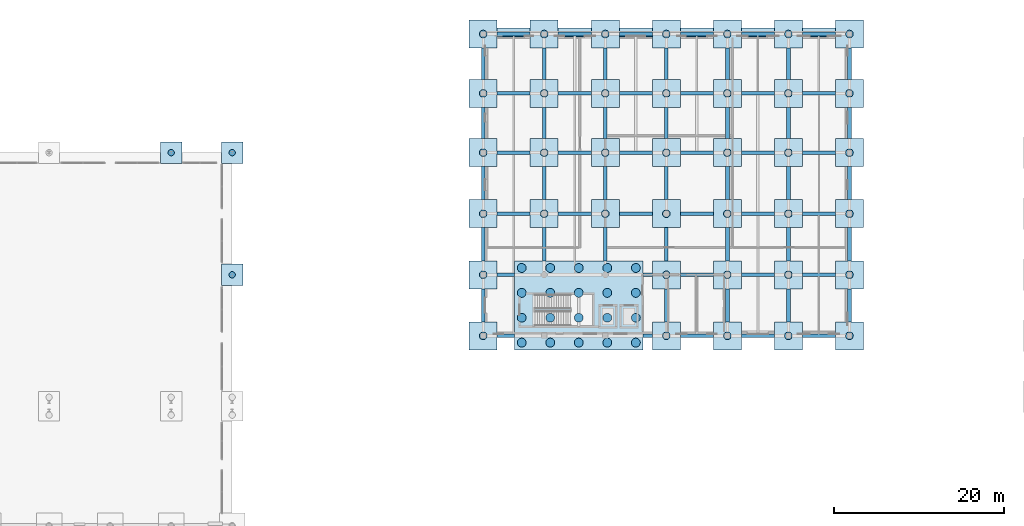
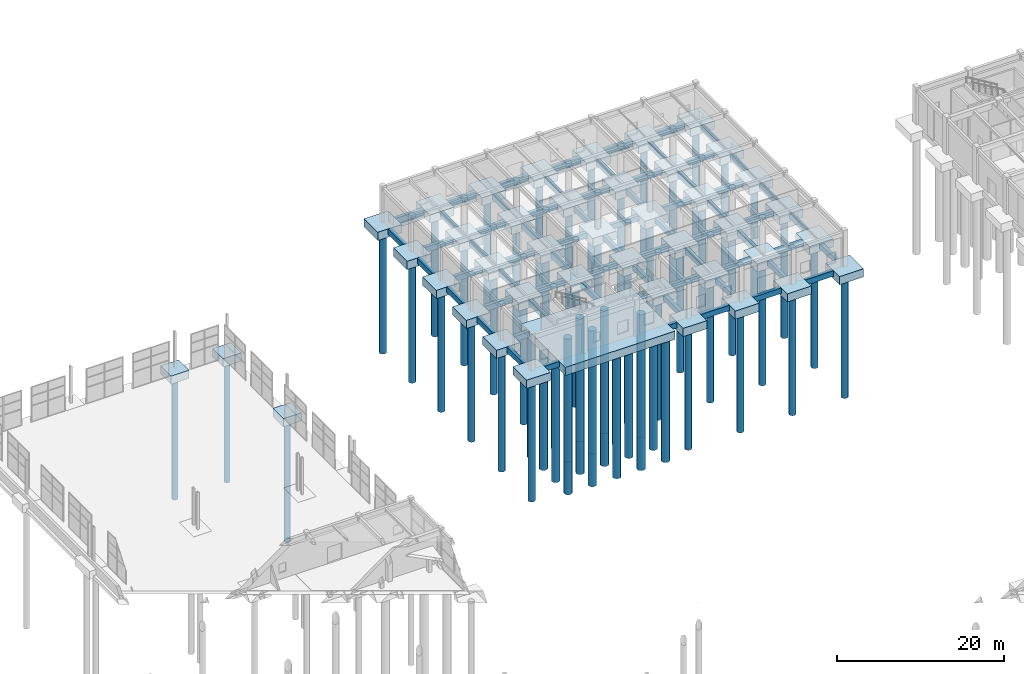
# One storey, part 4 of 91: 111 footings, 61 piles.
"""IFC4 building model written with IfcOpenShell, lengths in metres."""

from ifc_helpers import new_model, si_unit, direction, frame, origin, origin_2d, place, context, subcontext, project, spatial, rectangle, circle, extrude, material, material_profile, profile_set, type_object, element, save


model = new_model("IFC4")

# Units and contexts
model_context = context("Model", 3, precision=1e-05, world=origin(), true_north=direction((0.0, 1.0)))
body_context = subcontext(model_context, "Body", "Model", "MODEL_VIEW")
ifc_project = project(units=[si_unit("LENGTHUNIT", "METRE"), si_unit("AREAUNIT", "SQUARE_METRE"), si_unit("VOLUMEUNIT", "CUBIC_METRE"), si_unit("PLANEANGLEUNIT", "RADIAN"), si_unit("MASSUNIT", "GRAM", prefix="KILO")], contexts=[model_context])

# Site, building, storey
site_placement = place(None, origin())
site = spatial("IfcSite", under=ifc_project, at=site_placement, CompositionType="ELEMENT")
building_placement = place(site_placement, origin())
building = spatial("IfcBuilding", under=site, at=building_placement, Name="Bramveld Media Centre", CompositionType="ELEMENT")
storey_placement = place(building_placement, origin())
storey = spatial("IfcBuildingStorey", under=building, at=storey_placement, Name="L00", CompositionType="ELEMENT", Elevation=0.0)

# Footings
ifc_material_1 = material(Name="Concrete C35/45", Category="concrete")
footing_type_1 = type_object("IfcFootingType", Name="FTG-STRIP-1100x500", PredefinedType="STRIP_FOOTING", material=ifc_material_1)
for number, where, z_axis, x_axis, name in (
    (1, (76.5, 126.179931640625, -1.300048828125), (0.0, 0.0, 1.0), (1.0, 0.0, 0.0), "Retaining wall strip footing RW-CANAL-01"),
    (2, (97.89990234375, 126.179931640625, -1.300048828125), (0.0, 0.0, 1.0), (1.0, 0.0, 0.0), "Retaining wall strip footing RW-CANAL-02"),
):
    element("IfcFooting", number, at=place(storey_placement, frame(where, z_axis=z_axis, x_axis=x_axis)), inside=storey, type_object=footing_type_1, Name=name, PredefinedType="STRIP_FOOTING", context=body_context, shape_type="SweptSolid", body=[
        extrude(rectangle(XDim=21.60009765625, YDim=1.10009765625, at=origin_2d()), origin(), (0.0, 0.0, 1.0), 0.5),
    ])
ifc_material_2 = material(Name="Concrete C35/45", Category="concrete")
footing_type_2 = type_object("IfcFootingType", Name="GB-450x800", PredefinedType="FOOTING_BEAM", material=ifc_material_2)
footing_1_placement = place(storey_placement, frame((68.27490234375, 90.39990234375, -0.7998046875), z_axis=(0.0, 0.0, 1.0), x_axis=(1.0, 0.0, 0.0)))
element("IfcFooting", 3, at=footing_1_placement, inside=storey, type_object=footing_type_2, Name="V6 ground beam X-256", PredefinedType="FOOTING_BEAM", context=body_context, shape_type="SweptSolid", body=[
    extrude(rectangle(XDim=2.050048828125, YDim=0.449951171875, at=origin_2d()), origin(), (0.0, 0.0, 1.0), 0.800048828125),
])
footing_2_placement = place(storey_placement, frame((85.0, 90.39990234375, -0.7998046875), z_axis=(0.0, 0.0, 1.0), x_axis=(1.0, 0.0, 0.0)))
element("IfcFooting", 4, at=footing_2_placement, inside=storey, type_object=footing_type_2, Name="V6 ground beam X-257", PredefinedType="FOOTING_BEAM", context=body_context, shape_type="SweptSolid", body=[
    extrude(rectangle(XDim=1.10009765625, YDim=0.449951171875, at=origin_2d()), origin(), (0.0, 0.0, 1.0), 0.800048828125),
])
for number, where, z_axis, x_axis, name in (
    (5, (90.800048828125, 90.39990234375, -0.7998046875), (0.0, 0.0, 1.0), (1.0, 0.0, 0.0), "V6 ground beam X-258"),
    (6, (98.0, 90.39990234375, -0.7998046875), (0.0, 0.0, 1.0), (1.0, 0.0, 0.0), "V6 ground beam X-259"),
    (7, (105.199951171875, 90.39990234375, -0.7998046875), (0.0, 0.0, 1.0), (1.0, 0.0, 0.0), "V6 ground beam X-260"),
):
    element("IfcFooting", number, at=place(storey_placement, frame(where, z_axis=z_axis, x_axis=x_axis)), inside=storey, type_object=footing_type_2, Name=name, PredefinedType="FOOTING_BEAM", context=body_context, shape_type="SweptSolid", body=[
        extrude(rectangle(XDim=3.89990234375, YDim=0.449951171875, at=origin_2d()), origin(), (0.0, 0.0, 1.0), 0.800048828125),
    ])
footing_3_placement = place(storey_placement, frame((68.27490234375, 97.60009765625, -0.7998046875), z_axis=(0.0, 0.0, 1.0), x_axis=(1.0, 0.0, 0.0)))
element("IfcFooting", 8, at=footing_3_placement, inside=storey, type_object=footing_type_2, Name="V6 ground beam X-261", PredefinedType="FOOTING_BEAM", context=body_context, shape_type="SweptSolid", body=[
    extrude(rectangle(XDim=2.050048828125, YDim=0.449951171875, at=origin_2d()), origin(), (0.0, 0.0, 1.0), 0.800048828125),
])
footing_4_placement = place(storey_placement, frame((85.0, 97.60009765625, -0.7998046875), z_axis=(0.0, 0.0, 1.0), x_axis=(1.0, 0.0, 0.0)))
element("IfcFooting", 9, at=footing_4_placement, inside=storey, type_object=footing_type_2, Name="V6 ground beam X-262", PredefinedType="FOOTING_BEAM", context=body_context, shape_type="SweptSolid", body=[
    extrude(rectangle(XDim=1.10009765625, YDim=0.449951171875, at=origin_2d()), origin(), (0.0, 0.0, 1.0), 0.800048828125),
])
for number, where, z_axis, x_axis, name in (
    (10, (90.800048828125, 97.60009765625, -0.7998046875), (0.0, 0.0, 1.0), (1.0, 0.0, 0.0), "V6 ground beam X-263"),
    (11, (98.0, 97.60009765625, -0.7998046875), (0.0, 0.0, 1.0), (1.0, 0.0, 0.0), "V6 ground beam X-264"),
    (12, (105.199951171875, 97.60009765625, -0.7998046875), (0.0, 0.0, 1.0), (1.0, 0.0, 0.0), "V6 ground beam X-265"),
    (13, (69.199951171875, 104.800048828125, -0.7998046875), (0.0, 0.0, 1.0), (1.0, 0.0, 0.0), "V6 ground beam X-266"),
    (14, (76.39990234375, 104.800048828125, -0.7998046875), (0.0, 0.0, 1.0), (1.0, 0.0, 0.0), "V6 ground beam X-267"),
    (15, (83.60009765625, 104.800048828125, -0.7998046875), (0.0, 0.0, 1.0), (1.0, 0.0, 0.0), "V6 ground beam X-268"),
    (16, (90.800048828125, 104.800048828125, -0.7998046875), (0.0, 0.0, 1.0), (1.0, 0.0, 0.0), "V6 ground beam X-269"),
    (17, (98.0, 104.800048828125, -0.7998046875), (0.0, 0.0, 1.0), (1.0, 0.0, 0.0), "V6 ground beam X-270"),
    (18, (105.199951171875, 104.800048828125, -0.7998046875), (0.0, 0.0, 1.0), (1.0, 0.0, 0.0), "V6 ground beam X-271"),
    (19, (69.199951171875, 112.0, -0.7998046875), (0.0, 0.0, 1.0), (1.0, 0.0, 0.0), "V6 ground beam X-272"),
    (20, (76.39990234375, 112.0, -0.7998046875), (0.0, 0.0, 1.0), (1.0, 0.0, 0.0), "V6 ground beam X-273"),
    (21, (83.60009765625, 112.0, -0.7998046875), (0.0, 0.0, 1.0), (1.0, 0.0, 0.0), "V6 ground beam X-274"),
    (22, (90.800048828125, 112.0, -0.7998046875), (0.0, 0.0, 1.0), (1.0, 0.0, 0.0), "V6 ground beam X-275"),
    (23, (98.0, 112.0, -0.7998046875), (0.0, 0.0, 1.0), (1.0, 0.0, 0.0), "V6 ground beam X-276"),
    (24, (105.199951171875, 112.0, -0.7998046875), (0.0, 0.0, 1.0), (1.0, 0.0, 0.0), "V6 ground beam X-277"),
    (25, (69.199951171875, 119.0, -0.7998046875), (0.0, 0.0, 1.0), (1.0, 0.0, 0.0), "V6 ground beam X-278"),
    (26, (76.39990234375, 119.0, -0.7998046875), (0.0, 0.0, 1.0), (1.0, 0.0, 0.0), "V6 ground beam X-279"),
    (27, (83.60009765625, 119.0, -0.7998046875), (0.0, 0.0, 1.0), (1.0, 0.0, 0.0), "V6 ground beam X-280"),
    (28, (90.800048828125, 119.0, -0.7998046875), (0.0, 0.0, 1.0), (1.0, 0.0, 0.0), "V6 ground beam X-281"),
    (29, (98.0, 119.0, -0.7998046875), (0.0, 0.0, 1.0), (1.0, 0.0, 0.0), "V6 ground beam X-282"),
    (30, (105.199951171875, 119.0, -0.7998046875), (0.0, 0.0, 1.0), (1.0, 0.0, 0.0), "V6 ground beam X-283"),
    (31, (69.199951171875, 126.0, -0.7998046875), (0.0, 0.0, 1.0), (1.0, 0.0, 0.0), "V6 ground beam X-284"),
    (32, (76.39990234375, 126.0, -0.7998046875), (0.0, 0.0, 1.0), (1.0, 0.0, 0.0), "V6 ground beam X-285"),
    (33, (83.60009765625, 126.0, -0.7998046875), (0.0, 0.0, 1.0), (1.0, 0.0, 0.0), "V6 ground beam X-286"),
    (34, (90.800048828125, 126.0, -0.7998046875), (0.0, 0.0, 1.0), (1.0, 0.0, 0.0), "V6 ground beam X-287"),
    (35, (98.0, 126.0, -0.7998046875), (0.0, 0.0, 1.0), (1.0, 0.0, 0.0), "V6 ground beam X-288"),
    (36, (105.199951171875, 126.0, -0.7998046875), (0.0, 0.0, 1.0), (1.0, 0.0, 0.0), "V6 ground beam X-289"),
):
    element("IfcFooting", number, at=place(storey_placement, frame(where, z_axis=z_axis, x_axis=x_axis)), inside=storey, type_object=footing_type_2, Name=name, PredefinedType="FOOTING_BEAM", context=body_context, shape_type="SweptSolid", body=[
        extrude(rectangle(XDim=3.89990234375, YDim=0.449951171875, at=origin_2d()), origin(), (0.0, 0.0, 1.0), 0.800048828125),
    ])
for number, where, z_axis, x_axis, name in (
    (37, (65.60009765625, 94.0, -0.7998046875), (0.0, 0.0, 1.0), (1.0, 0.0, 0.0), "V6 ground beam Y-290"),
    (38, (65.60009765625, 101.199951171875, -0.7998046875), (0.0, 0.0, 1.0), (1.0, 0.0, 0.0), "V6 ground beam Y-291"),
    (39, (65.60009765625, 108.39990234375, -0.7998046875), (0.0, 0.0, 1.0), (1.0, 0.0, 0.0), "V6 ground beam Y-292"),
):
    element("IfcFooting", number, at=place(storey_placement, frame(where, z_axis=z_axis, x_axis=x_axis)), inside=storey, type_object=footing_type_2, Name=name, PredefinedType="FOOTING_BEAM", context=body_context, shape_type="SweptSolid", body=[
        extrude(rectangle(XDim=0.449951171875, YDim=3.89990234375, at=origin_2d()), origin(), (0.0, 0.0, 1.0), 0.800048828125),
    ])
for number, where, z_axis, x_axis, name in (
    (40, (65.60009765625, 115.5, -0.7998046875), (0.0, 0.0, 1.0), (1.0, 0.0, 0.0), "V6 ground beam Y-293"),
    (41, (65.60009765625, 122.5, -0.7998046875), (0.0, 0.0, 1.0), (1.0, 0.0, 0.0), "V6 ground beam Y-294"),
):
    element("IfcFooting", number, at=place(storey_placement, frame(where, z_axis=z_axis, x_axis=x_axis)), inside=storey, type_object=footing_type_2, Name=name, PredefinedType="FOOTING_BEAM", context=body_context, shape_type="SweptSolid", body=[
        extrude(rectangle(XDim=0.449951171875, YDim=3.699951171875, at=origin_2d()), origin(), (0.0, 0.0, 1.0), 0.800048828125),
    ])
for number, where, z_axis, x_axis, name in (
    (42, (72.800048828125, 101.199951171875, -0.7998046875), (0.0, 0.0, 1.0), (1.0, 0.0, 0.0), "V6 ground beam Y-295"),
    (43, (72.800048828125, 108.39990234375, -0.7998046875), (0.0, 0.0, 1.0), (1.0, 0.0, 0.0), "V6 ground beam Y-296"),
):
    element("IfcFooting", number, at=place(storey_placement, frame(where, z_axis=z_axis, x_axis=x_axis)), inside=storey, type_object=footing_type_2, Name=name, PredefinedType="FOOTING_BEAM", context=body_context, shape_type="SweptSolid", body=[
        extrude(rectangle(XDim=0.449951171875, YDim=3.89990234375, at=origin_2d()), origin(), (0.0, 0.0, 1.0), 0.800048828125),
    ])
for number, where, z_axis, x_axis, name in (
    (44, (72.800048828125, 115.5, -0.7998046875), (0.0, 0.0, 1.0), (1.0, 0.0, 0.0), "V6 ground beam Y-297"),
    (45, (72.800048828125, 122.5, -0.7998046875), (0.0, 0.0, 1.0), (1.0, 0.0, 0.0), "V6 ground beam Y-298"),
):
    element("IfcFooting", number, at=place(storey_placement, frame(where, z_axis=z_axis, x_axis=x_axis)), inside=storey, type_object=footing_type_2, Name=name, PredefinedType="FOOTING_BEAM", context=body_context, shape_type="SweptSolid", body=[
        extrude(rectangle(XDim=0.449951171875, YDim=3.699951171875, at=origin_2d()), origin(), (0.0, 0.0, 1.0), 0.800048828125),
    ])
for number, where, z_axis, x_axis, name in (
    (46, (80.0, 101.199951171875, -0.7998046875), (0.0, 0.0, 1.0), (1.0, 0.0, 0.0), "V6 ground beam Y-299"),
    (47, (80.0, 108.39990234375, -0.7998046875), (0.0, 0.0, 1.0), (1.0, 0.0, 0.0), "V6 ground beam Y-300"),
):
    element("IfcFooting", number, at=place(storey_placement, frame(where, z_axis=z_axis, x_axis=x_axis)), inside=storey, type_object=footing_type_2, Name=name, PredefinedType="FOOTING_BEAM", context=body_context, shape_type="SweptSolid", body=[
        extrude(rectangle(XDim=0.449951171875, YDim=3.89990234375, at=origin_2d()), origin(), (0.0, 0.0, 1.0), 0.800048828125),
    ])
for number, where, z_axis, x_axis, name in (
    (48, (80.0, 115.5, -0.7998046875), (0.0, 0.0, 1.0), (1.0, 0.0, 0.0), "V6 ground beam Y-301"),
    (49, (80.0, 122.5, -0.7998046875), (0.0, 0.0, 1.0), (1.0, 0.0, 0.0), "V6 ground beam Y-302"),
):
    element("IfcFooting", number, at=place(storey_placement, frame(where, z_axis=z_axis, x_axis=x_axis)), inside=storey, type_object=footing_type_2, Name=name, PredefinedType="FOOTING_BEAM", context=body_context, shape_type="SweptSolid", body=[
        extrude(rectangle(XDim=0.449951171875, YDim=3.699951171875, at=origin_2d()), origin(), (0.0, 0.0, 1.0), 0.800048828125),
    ])
for number, where, z_axis, x_axis, name in (
    (50, (87.199951171875, 94.0, -0.7998046875), (0.0, 0.0, 1.0), (1.0, 0.0, 0.0), "V6 ground beam Y-303"),
    (51, (87.199951171875, 101.199951171875, -0.7998046875), (0.0, 0.0, 1.0), (1.0, 0.0, 0.0), "V6 ground beam Y-304"),
    (52, (87.199951171875, 108.39990234375, -0.7998046875), (0.0, 0.0, 1.0), (1.0, 0.0, 0.0), "V6 ground beam Y-305"),
):
    element("IfcFooting", number, at=place(storey_placement, frame(where, z_axis=z_axis, x_axis=x_axis)), inside=storey, type_object=footing_type_2, Name=name, PredefinedType="FOOTING_BEAM", context=body_context, shape_type="SweptSolid", body=[
        extrude(rectangle(XDim=0.449951171875, YDim=3.89990234375, at=origin_2d()), origin(), (0.0, 0.0, 1.0), 0.800048828125),
    ])
for number, where, z_axis, x_axis, name in (
    (53, (87.199951171875, 115.5, -0.7998046875), (0.0, 0.0, 1.0), (1.0, 0.0, 0.0), "V6 ground beam Y-306"),
    (54, (87.199951171875, 122.5, -0.7998046875), (0.0, 0.0, 1.0), (1.0, 0.0, 0.0), "V6 ground beam Y-307"),
):
    element("IfcFooting", number, at=place(storey_placement, frame(where, z_axis=z_axis, x_axis=x_axis)), inside=storey, type_object=footing_type_2, Name=name, PredefinedType="FOOTING_BEAM", context=body_context, shape_type="SweptSolid", body=[
        extrude(rectangle(XDim=0.449951171875, YDim=3.699951171875, at=origin_2d()), origin(), (0.0, 0.0, 1.0), 0.800048828125),
    ])
for number, where, z_axis, x_axis, name in (
    (55, (94.39990234375, 94.0, -0.7998046875), (0.0, 0.0, 1.0), (1.0, 0.0, 0.0), "V6 ground beam Y-308"),
    (56, (94.39990234375, 101.199951171875, -0.7998046875), (0.0, 0.0, 1.0), (1.0, 0.0, 0.0), "V6 ground beam Y-309"),
    (57, (94.39990234375, 108.39990234375, -0.7998046875), (0.0, 0.0, 1.0), (1.0, 0.0, 0.0), "V6 ground beam Y-310"),
):
    element("IfcFooting", number, at=place(storey_placement, frame(where, z_axis=z_axis, x_axis=x_axis)), inside=storey, type_object=footing_type_2, Name=name, PredefinedType="FOOTING_BEAM", context=body_context, shape_type="SweptSolid", body=[
        extrude(rectangle(XDim=0.449951171875, YDim=3.89990234375, at=origin_2d()), origin(), (0.0, 0.0, 1.0), 0.800048828125),
    ])
for number, where, z_axis, x_axis, name in (
    (58, (94.39990234375, 115.5, -0.7998046875), (0.0, 0.0, 1.0), (1.0, 0.0, 0.0), "V6 ground beam Y-311"),
    (59, (94.39990234375, 122.5, -0.7998046875), (0.0, 0.0, 1.0), (1.0, 0.0, 0.0), "V6 ground beam Y-312"),
):
    element("IfcFooting", number, at=place(storey_placement, frame(where, z_axis=z_axis, x_axis=x_axis)), inside=storey, type_object=footing_type_2, Name=name, PredefinedType="FOOTING_BEAM", context=body_context, shape_type="SweptSolid", body=[
        extrude(rectangle(XDim=0.449951171875, YDim=3.699951171875, at=origin_2d()), origin(), (0.0, 0.0, 1.0), 0.800048828125),
    ])
for number, where, z_axis, x_axis, name in (
    (60, (101.60009765625, 94.0, -0.7998046875), (0.0, 0.0, 1.0), (1.0, 0.0, 0.0), "V6 ground beam Y-313"),
    (61, (101.60009765625, 101.199951171875, -0.7998046875), (0.0, 0.0, 1.0), (1.0, 0.0, 0.0), "V6 ground beam Y-314"),
    (62, (101.60009765625, 108.39990234375, -0.7998046875), (0.0, 0.0, 1.0), (1.0, 0.0, 0.0), "V6 ground beam Y-315"),
):
    element("IfcFooting", number, at=place(storey_placement, frame(where, z_axis=z_axis, x_axis=x_axis)), inside=storey, type_object=footing_type_2, Name=name, PredefinedType="FOOTING_BEAM", context=body_context, shape_type="SweptSolid", body=[
        extrude(rectangle(XDim=0.449951171875, YDim=3.89990234375, at=origin_2d()), origin(), (0.0, 0.0, 1.0), 0.800048828125),
    ])
for number, where, z_axis, x_axis, name in (
    (63, (101.60009765625, 115.5, -0.7998046875), (0.0, 0.0, 1.0), (1.0, 0.0, 0.0), "V6 ground beam Y-316"),
    (64, (101.60009765625, 122.5, -0.7998046875), (0.0, 0.0, 1.0), (1.0, 0.0, 0.0), "V6 ground beam Y-317"),
):
    element("IfcFooting", number, at=place(storey_placement, frame(where, z_axis=z_axis, x_axis=x_axis)), inside=storey, type_object=footing_type_2, Name=name, PredefinedType="FOOTING_BEAM", context=body_context, shape_type="SweptSolid", body=[
        extrude(rectangle(XDim=0.449951171875, YDim=3.699951171875, at=origin_2d()), origin(), (0.0, 0.0, 1.0), 0.800048828125),
    ])
for number, where, z_axis, x_axis, name in (
    (65, (108.800048828125, 94.0, -0.7998046875), (0.0, 0.0, 1.0), (1.0, 0.0, 0.0), "V6 ground beam Y-318"),
    (66, (108.800048828125, 101.199951171875, -0.7998046875), (0.0, 0.0, 1.0), (1.0, 0.0, 0.0), "V6 ground beam Y-319"),
    (67, (108.800048828125, 108.39990234375, -0.7998046875), (0.0, 0.0, 1.0), (1.0, 0.0, 0.0), "V6 ground beam Y-320"),
):
    element("IfcFooting", number, at=place(storey_placement, frame(where, z_axis=z_axis, x_axis=x_axis)), inside=storey, type_object=footing_type_2, Name=name, PredefinedType="FOOTING_BEAM", context=body_context, shape_type="SweptSolid", body=[
        extrude(rectangle(XDim=0.449951171875, YDim=3.89990234375, at=origin_2d()), origin(), (0.0, 0.0, 1.0), 0.800048828125),
    ])
for number, where, z_axis, x_axis, name in (
    (68, (108.800048828125, 115.5, -0.7998046875), (0.0, 0.0, 1.0), (1.0, 0.0, 0.0), "V6 ground beam Y-321"),
    (69, (108.800048828125, 122.5, -0.7998046875), (0.0, 0.0, 1.0), (1.0, 0.0, 0.0), "V6 ground beam Y-322"),
):
    element("IfcFooting", number, at=place(storey_placement, frame(where, z_axis=z_axis, x_axis=x_axis)), inside=storey, type_object=footing_type_2, Name=name, PredefinedType="FOOTING_BEAM", context=body_context, shape_type="SweptSolid", body=[
        extrude(rectangle(XDim=0.449951171875, YDim=3.699951171875, at=origin_2d()), origin(), (0.0, 0.0, 1.0), 0.800048828125),
    ])
ifc_material_3 = material(Name="Concrete C35/45", Category="concrete")
footing_type_3 = type_object("IfcFootingType", Name="PC-1515x1050x1200", PredefinedType="PILE_CAP", material=ifc_material_3)
footing_5_placement = place(storey_placement, frame((76.875, 94.0, -1.2001953125), z_axis=(0.0, 0.0, 1.0), x_axis=(1.0, 0.0, 0.0)))
element("IfcFooting", 70, at=footing_5_placement, inside=storey, type_object=footing_type_3, Name="Reinforced concrete pile cap 79", PredefinedType="PILE_CAP", context=body_context, shape_type="SweptSolid", body=[
    extrude(rectangle(XDim=15.14990234375, YDim=10.5, at=origin_2d()), origin(), (0.0, 0.0, 1.0), 1.199951171875),
])
ifc_material_4 = material(Name="Concrete C35/45", Category="concrete")
footing_type_4 = type_object("IfcFootingType", Name="PC-250x250x1200", PredefinedType="PILE_CAP", material=ifc_material_4)
for number, where, z_axis, x_axis, name in (
    (71, (28.800048828125, 112.0, -1.2001953125), (0.0, 0.0, 1.0), (1.0, 0.0, 0.0), "Reinforced concrete pile cap 42"),
    (72, (36.0, 97.60009765625, -1.2001953125), (0.0, 0.0, 1.0), (1.0, 0.0, 0.0), "Reinforced concrete pile cap 51"),
    (73, (36.0, 112.0, -1.2001953125), (0.0, 0.0, 1.0), (1.0, 0.0, 0.0), "Reinforced concrete pile cap 52"),
):
    element("IfcFooting", number, at=place(storey_placement, frame(where, z_axis=z_axis, x_axis=x_axis)), inside=storey, type_object=footing_type_4, Name=name, PredefinedType="PILE_CAP", context=body_context, shape_type="SweptSolid", body=[
        extrude(rectangle(XDim=2.5, YDim=2.5, at=origin_2d()), origin(), (0.0, 0.0, 1.0), 1.199951171875),
    ])
ifc_material_5 = material(Name="Concrete C35/45", Category="concrete")
footing_type_5 = type_object("IfcFootingType", Name="PC-330x330x1200", PredefinedType="PILE_CAP", material=ifc_material_5)
for number, where, z_axis, x_axis, name in (
    (74, (65.60009765625, 90.39990234375, -1.2001953125), (0.0, 0.0, 1.0), (1.0, 0.0, 0.0), "Reinforced concrete pile cap 72"),
    (75, (65.60009765625, 97.60009765625, -1.2001953125), (0.0, 0.0, 1.0), (1.0, 0.0, 0.0), "Reinforced concrete pile cap 73"),
    (76, (65.60009765625, 104.800048828125, -1.2001953125), (0.0, 0.0, 1.0), (1.0, 0.0, 0.0), "Reinforced concrete pile cap 74"),
    (77, (65.60009765625, 112.0, -1.2001953125), (0.0, 0.0, 1.0), (1.0, 0.0, 0.0), "Reinforced concrete pile cap 75"),
    (78, (65.60009765625, 119.0, -1.2001953125), (0.0, 0.0, 1.0), (1.0, 0.0, 0.0), "Reinforced concrete pile cap 76"),
    (79, (65.60009765625, 126.0, -1.2001953125), (0.0, 0.0, 1.0), (1.0, 0.0, 0.0), "Reinforced concrete pile cap 77"),
    (80, (72.800048828125, 104.800048828125, -1.2001953125), (0.0, 0.0, 1.0), (1.0, 0.0, 0.0), "Reinforced concrete pile cap 83"),
    (81, (72.800048828125, 112.0, -1.2001953125), (0.0, 0.0, 1.0), (1.0, 0.0, 0.0), "Reinforced concrete pile cap 84"),
    (82, (72.800048828125, 119.0, -1.2001953125), (0.0, 0.0, 1.0), (1.0, 0.0, 0.0), "Reinforced concrete pile cap 85"),
    (83, (72.800048828125, 126.0, -1.2001953125), (0.0, 0.0, 1.0), (1.0, 0.0, 0.0), "Reinforced concrete pile cap 86"),
    (84, (80.0, 104.800048828125, -1.2001953125), (0.0, 0.0, 1.0), (1.0, 0.0, 0.0), "Reinforced concrete pile cap 90"),
    (85, (80.0, 112.0, -1.2001953125), (0.0, 0.0, 1.0), (1.0, 0.0, 0.0), "Reinforced concrete pile cap 91"),
    (86, (80.0, 119.0, -1.2001953125), (0.0, 0.0, 1.0), (1.0, 0.0, 0.0), "Reinforced concrete pile cap 92"),
    (87, (80.0, 126.0, -1.2001953125), (0.0, 0.0, 1.0), (1.0, 0.0, 0.0), "Reinforced concrete pile cap 93"),
    (88, (87.199951171875, 90.39990234375, -1.2001953125), (0.0, 0.0, 1.0), (1.0, 0.0, 0.0), "Reinforced concrete pile cap 98"),
    (89, (87.199951171875, 97.60009765625, -1.2001953125), (0.0, 0.0, 1.0), (1.0, 0.0, 0.0), "Reinforced concrete pile cap 99"),
    (90, (87.199951171875, 104.800048828125, -1.2001953125), (0.0, 0.0, 1.0), (1.0, 0.0, 0.0), "Reinforced concrete pile cap 100"),
    (91, (87.199951171875, 112.0, -1.2001953125), (0.0, 0.0, 1.0), (1.0, 0.0, 0.0), "Reinforced concrete pile cap 101"),
    (92, (87.199951171875, 119.0, -1.2001953125), (0.0, 0.0, 1.0), (1.0, 0.0, 0.0), "Reinforced concrete pile cap 102"),
    (93, (87.199951171875, 126.0, -1.2001953125), (0.0, 0.0, 1.0), (1.0, 0.0, 0.0), "Reinforced concrete pile cap 103"),
    (94, (94.39990234375, 90.39990234375, -1.2001953125), (0.0, 0.0, 1.0), (1.0, 0.0, 0.0), "Reinforced concrete pile cap 108"),
    (95, (94.39990234375, 97.60009765625, -1.2001953125), (0.0, 0.0, 1.0), (1.0, 0.0, 0.0), "Reinforced concrete pile cap 109"),
    (96, (94.39990234375, 104.800048828125, -1.2001953125), (0.0, 0.0, 1.0), (1.0, 0.0, 0.0), "Reinforced concrete pile cap 110"),
    (97, (94.39990234375, 112.0, -1.2001953125), (0.0, 0.0, 1.0), (1.0, 0.0, 0.0), "Reinforced concrete pile cap 111"),
    (98, (94.39990234375, 119.0, -1.2001953125), (0.0, 0.0, 1.0), (1.0, 0.0, 0.0), "Reinforced concrete pile cap 112"),
    (99, (94.39990234375, 126.0, -1.2001953125), (0.0, 0.0, 1.0), (1.0, 0.0, 0.0), "Reinforced concrete pile cap 113"),
    (100, (101.60009765625, 90.39990234375, -1.2001953125), (0.0, 0.0, 1.0), (1.0, 0.0, 0.0), "Reinforced concrete pile cap 118"),
    (101, (101.60009765625, 97.60009765625, -1.2001953125), (0.0, 0.0, 1.0), (1.0, 0.0, 0.0), "Reinforced concrete pile cap 119"),
    (102, (101.60009765625, 104.800048828125, -1.2001953125), (0.0, 0.0, 1.0), (1.0, 0.0, 0.0), "Reinforced concrete pile cap 120"),
    (103, (101.60009765625, 112.0, -1.2001953125), (0.0, 0.0, 1.0), (1.0, 0.0, 0.0), "Reinforced concrete pile cap 121"),
    (104, (101.60009765625, 119.0, -1.2001953125), (0.0, 0.0, 1.0), (1.0, 0.0, 0.0), "Reinforced concrete pile cap 122"),
    (105, (101.60009765625, 126.0, -1.2001953125), (0.0, 0.0, 1.0), (1.0, 0.0, 0.0), "Reinforced concrete pile cap 123"),
    (106, (108.800048828125, 90.39990234375, -1.2001953125), (0.0, 0.0, 1.0), (1.0, 0.0, 0.0), "Reinforced concrete pile cap 128"),
    (107, (108.800048828125, 97.60009765625, -1.2001953125), (0.0, 0.0, 1.0), (1.0, 0.0, 0.0), "Reinforced concrete pile cap 129"),
    (108, (108.800048828125, 104.800048828125, -1.2001953125), (0.0, 0.0, 1.0), (1.0, 0.0, 0.0), "Reinforced concrete pile cap 130"),
    (109, (108.800048828125, 112.0, -1.2001953125), (0.0, 0.0, 1.0), (1.0, 0.0, 0.0), "Reinforced concrete pile cap 131"),
    (110, (108.800048828125, 119.0, -1.2001953125), (0.0, 0.0, 1.0), (1.0, 0.0, 0.0), "Reinforced concrete pile cap 132"),
    (111, (108.800048828125, 126.0, -1.2001953125), (0.0, 0.0, 1.0), (1.0, 0.0, 0.0), "Reinforced concrete pile cap 133"),
):
    element("IfcFooting", number, at=place(storey_placement, frame(where, z_axis=z_axis, x_axis=x_axis)), inside=storey, type_object=footing_type_5, Name=name, PredefinedType="PILE_CAP", context=body_context, shape_type="SweptSolid", body=[
        extrude(rectangle(XDim=3.300048828125, YDim=3.300048828125, at=origin_2d()), origin(), (0.0, 0.0, 1.0), 1.199951171875),
    ])

# Piles
ifc_material_6 = material(Name="Concrete C35/45", Category="concrete")
ifc_material_profile_1 = material_profile(ifc_material_6, circle(Radius=0.52490234375, at=origin_2d()), Name="BORED D1050")
ifc_profile_set_1 = profile_set([ifc_material_profile_1], Name="Concrete C35/45")
pile_type_1 = type_object("IfcPileType", Name="PILE-BORED-D1050", PredefinedType="BORED", material=ifc_profile_set_1)
for number, where, z_axis, x_axis, name in (
    (112, (70.14501953125, 89.594970703125, -1.050048828125), (0.0, 0.0, -1.0), (1.0, 0.0, 0.0), "Bored pile 161"),
    (113, (70.14501953125, 92.53173828125, -1.050048828125), (0.0, 0.0, -1.0), (1.0, 0.0, 0.0), "Bored pile 162"),
    (114, (70.14501953125, 95.46826171875, -1.050048828125), (0.0, 0.0, -1.0), (1.0, 0.0, 0.0), "Bored pile 163"),
    (115, (70.14501953125, 98.405029296875, -1.050048828125), (0.0, 0.0, -1.0), (1.0, 0.0, 0.0), "Bored pile 164"),
    (116, (73.510009765625, 89.594970703125, -1.050048828125), (0.0, 0.0, -1.0), (1.0, 0.0, 0.0), "Bored pile 165"),
    (117, (73.510009765625, 92.53173828125, -1.050048828125), (0.0, 0.0, -1.0), (1.0, 0.0, 0.0), "Bored pile 166"),
    (118, (73.510009765625, 95.46826171875, -1.050048828125), (0.0, 0.0, -1.0), (1.0, 0.0, 0.0), "Bored pile 167"),
    (119, (73.510009765625, 98.405029296875, -1.050048828125), (0.0, 0.0, -1.0), (1.0, 0.0, 0.0), "Bored pile 168"),
    (120, (76.875, 89.594970703125, -1.050048828125), (0.0, 0.0, -1.0), (1.0, 0.0, 0.0), "Bored pile 169"),
    (121, (76.875, 92.53173828125, -1.050048828125), (0.0, 0.0, -1.0), (1.0, 0.0, 0.0), "Bored pile 170"),
    (122, (76.875, 95.46826171875, -1.050048828125), (0.0, 0.0, -1.0), (1.0, 0.0, 0.0), "Bored pile 171"),
    (123, (76.875, 98.405029296875, -1.050048828125), (0.0, 0.0, -1.0), (1.0, 0.0, 0.0), "Bored pile 172"),
    (124, (80.239990234375, 89.594970703125, -1.050048828125), (0.0, 0.0, -1.0), (1.0, 0.0, 0.0), "Bored pile 173"),
    (125, (80.239990234375, 92.53173828125, -1.050048828125), (0.0, 0.0, -1.0), (1.0, 0.0, 0.0), "Bored pile 174"),
    (126, (80.239990234375, 95.46826171875, -1.050048828125), (0.0, 0.0, -1.0), (1.0, 0.0, 0.0), "Bored pile 175"),
    (127, (80.239990234375, 98.405029296875, -1.050048828125), (0.0, 0.0, -1.0), (1.0, 0.0, 0.0), "Bored pile 176"),
    (128, (83.60498046875, 89.594970703125, -1.050048828125), (0.0, 0.0, -1.0), (1.0, 0.0, 0.0), "Bored pile 177"),
    (129, (83.60498046875, 92.53173828125, -1.050048828125), (0.0, 0.0, -1.0), (1.0, 0.0, 0.0), "Bored pile 178"),
    (130, (83.60498046875, 95.46826171875, -1.050048828125), (0.0, 0.0, -1.0), (1.0, 0.0, 0.0), "Bored pile 179"),
    (131, (83.60498046875, 98.405029296875, -1.050048828125), (0.0, 0.0, -1.0), (1.0, 0.0, 0.0), "Bored pile 180"),
):
    element("IfcPile", number, at=place(storey_placement, frame(where, z_axis=z_axis, x_axis=x_axis)), inside=storey, type_object=pile_type_1, Name=name, PredefinedType="BORED", context=body_context, shape_type="SweptSolid", body=[
        extrude(circle(Radius=0.52490234375, at=origin_2d()), origin(), (0.0, 0.0, 1.0), 18.0),
    ])
ifc_material_7 = material(Name="Concrete C35/45", Category="concrete")
ifc_material_profile_2 = material_profile(ifc_material_7, circle(Radius=0.375, at=origin_2d()), Name="BORED D750")
ifc_profile_set_2 = profile_set([ifc_material_profile_2], Name="Concrete C35/45")
pile_type_2 = type_object("IfcPileType", Name="PILE-BORED-D750", PredefinedType="BORED", material=ifc_profile_set_2)
for number, where, z_axis, x_axis, name in (
    (132, (28.800048828125, 112.0, -1.050048828125), (0.0, 0.0, -1.0), (1.0, 0.0, 0.0), "Bored pile 97"),
    (133, (36.0, 97.60009765625, -1.050048828125), (0.0, 0.0, -1.0), (1.0, 0.0, 0.0), "Bored pile 111"),
    (134, (36.0, 112.0, -1.050048828125), (0.0, 0.0, -1.0), (1.0, 0.0, 0.0), "Bored pile 112"),
):
    element("IfcPile", number, at=place(storey_placement, frame(where, z_axis=z_axis, x_axis=x_axis)), inside=storey, type_object=pile_type_2, Name=name, PredefinedType="BORED", context=body_context, shape_type="SweptSolid", body=[
        extrude(circle(Radius=0.375, at=origin_2d()), origin(), (0.0, 0.0, 1.0), 18.0),
    ])
ifc_material_8 = material(Name="Concrete C35/45", Category="concrete")
ifc_material_profile_3 = material_profile(ifc_material_8, circle(Radius=0.449951171875, at=origin_2d()), Name="BORED D900")
ifc_profile_set_3 = profile_set([ifc_material_profile_3], Name="Concrete C35/45")
pile_type_3 = type_object("IfcPileType", Name="PILE-BORED-D900", PredefinedType="BORED", material=ifc_profile_set_3)
for number, where, z_axis, x_axis, name in (
    (135, (65.60009765625, 90.39990234375, -1.050048828125), (0.0, 0.0, -1.0), (1.0, 0.0, 0.0), "Bored pile 143"),
    (136, (65.60009765625, 97.60009765625, -1.050048828125), (0.0, 0.0, -1.0), (1.0, 0.0, 0.0), "Bored pile 144"),
    (137, (65.60009765625, 104.800048828125, -1.050048828125), (0.0, 0.0, -1.0), (1.0, 0.0, 0.0), "Bored pile 145"),
    (138, (65.60009765625, 112.0, -1.050048828125), (0.0, 0.0, -1.0), (1.0, 0.0, 0.0), "Bored pile 146"),
    (139, (65.60009765625, 119.0, -1.050048828125), (0.0, 0.0, -1.0), (1.0, 0.0, 0.0), "Bored pile 147"),
    (140, (65.60009765625, 126.0, -1.050048828125), (0.0, 0.0, -1.0), (1.0, 0.0, 0.0), "Bored pile 148"),
    (141, (72.800048828125, 104.800048828125, -1.050048828125), (0.0, 0.0, -1.0), (1.0, 0.0, 0.0), "Bored pile 184"),
    (142, (72.800048828125, 112.0, -1.050048828125), (0.0, 0.0, -1.0), (1.0, 0.0, 0.0), "Bored pile 185"),
    (143, (72.800048828125, 119.0, -1.050048828125), (0.0, 0.0, -1.0), (1.0, 0.0, 0.0), "Bored pile 186"),
    (144, (72.800048828125, 126.0, -1.050048828125), (0.0, 0.0, -1.0), (1.0, 0.0, 0.0), "Bored pile 187"),
    (145, (80.0, 104.800048828125, -1.050048828125), (0.0, 0.0, -1.0), (1.0, 0.0, 0.0), "Bored pile 191"),
    (146, (80.0, 112.0, -1.050048828125), (0.0, 0.0, -1.0), (1.0, 0.0, 0.0), "Bored pile 192"),
    (147, (80.0, 119.0, -1.050048828125), (0.0, 0.0, -1.0), (1.0, 0.0, 0.0), "Bored pile 193"),
    (148, (80.0, 126.0, -1.050048828125), (0.0, 0.0, -1.0), (1.0, 0.0, 0.0), "Bored pile 194"),
    (149, (87.199951171875, 90.39990234375, -1.050048828125), (0.0, 0.0, -1.0), (1.0, 0.0, 0.0), "Bored pile 199"),
    (150, (87.199951171875, 97.60009765625, -1.050048828125), (0.0, 0.0, -1.0), (1.0, 0.0, 0.0), "Bored pile 200"),
    (151, (87.199951171875, 104.800048828125, -1.050048828125), (0.0, 0.0, -1.0), (1.0, 0.0, 0.0), "Bored pile 201"),
    (152, (87.199951171875, 112.0, -1.050048828125), (0.0, 0.0, -1.0), (1.0, 0.0, 0.0), "Bored pile 202"),
    (153, (87.199951171875, 119.0, -1.050048828125), (0.0, 0.0, -1.0), (1.0, 0.0, 0.0), "Bored pile 203"),
    (154, (87.199951171875, 126.0, -1.050048828125), (0.0, 0.0, -1.0), (1.0, 0.0, 0.0), "Bored pile 204"),
    (155, (94.39990234375, 90.39990234375, -1.050048828125), (0.0, 0.0, -1.0), (1.0, 0.0, 0.0), "Bored pile 209"),
    (156, (94.39990234375, 97.60009765625, -1.050048828125), (0.0, 0.0, -1.0), (1.0, 0.0, 0.0), "Bored pile 210"),
    (157, (94.39990234375, 104.800048828125, -1.050048828125), (0.0, 0.0, -1.0), (1.0, 0.0, 0.0), "Bored pile 211"),
    (158, (94.39990234375, 112.0, -1.050048828125), (0.0, 0.0, -1.0), (1.0, 0.0, 0.0), "Bored pile 212"),
    (159, (94.39990234375, 119.0, -1.050048828125), (0.0, 0.0, -1.0), (1.0, 0.0, 0.0), "Bored pile 213"),
    (160, (94.39990234375, 126.0, -1.050048828125), (0.0, 0.0, -1.0), (1.0, 0.0, 0.0), "Bored pile 214"),
    (161, (101.60009765625, 90.39990234375, -1.050048828125), (0.0, 0.0, -1.0), (1.0, 0.0, 0.0), "Bored pile 219"),
    (162, (101.60009765625, 97.60009765625, -1.050048828125), (0.0, 0.0, -1.0), (1.0, 0.0, 0.0), "Bored pile 220"),
    (163, (101.60009765625, 104.800048828125, -1.050048828125), (0.0, 0.0, -1.0), (1.0, 0.0, 0.0), "Bored pile 221"),
    (164, (101.60009765625, 112.0, -1.050048828125), (0.0, 0.0, -1.0), (1.0, 0.0, 0.0), "Bored pile 222"),
    (165, (101.60009765625, 119.0, -1.050048828125), (0.0, 0.0, -1.0), (1.0, 0.0, 0.0), "Bored pile 223"),
    (166, (101.60009765625, 126.0, -1.050048828125), (0.0, 0.0, -1.0), (1.0, 0.0, 0.0), "Bored pile 224"),
    (167, (108.800048828125, 90.39990234375, -1.050048828125), (0.0, 0.0, -1.0), (1.0, 0.0, 0.0), "Bored pile 229"),
    (168, (108.800048828125, 97.60009765625, -1.050048828125), (0.0, 0.0, -1.0), (1.0, 0.0, 0.0), "Bored pile 230"),
    (169, (108.800048828125, 104.800048828125, -1.050048828125), (0.0, 0.0, -1.0), (1.0, 0.0, 0.0), "Bored pile 231"),
    (170, (108.800048828125, 112.0, -1.050048828125), (0.0, 0.0, -1.0), (1.0, 0.0, 0.0), "Bored pile 232"),
    (171, (108.800048828125, 119.0, -1.050048828125), (0.0, 0.0, -1.0), (1.0, 0.0, 0.0), "Bored pile 233"),
    (172, (108.800048828125, 126.0, -1.050048828125), (0.0, 0.0, -1.0), (1.0, 0.0, 0.0), "Bored pile 234"),
):
    element("IfcPile", number, at=place(storey_placement, frame(where, z_axis=z_axis, x_axis=x_axis)), inside=storey, type_object=pile_type_3, Name=name, PredefinedType="BORED", context=body_context, shape_type="SweptSolid", body=[
        extrude(circle(Radius=0.449951171875, at=origin_2d()), origin(), (0.0, 0.0, 1.0), 18.0),
    ])

save(model, "model.ifc")
